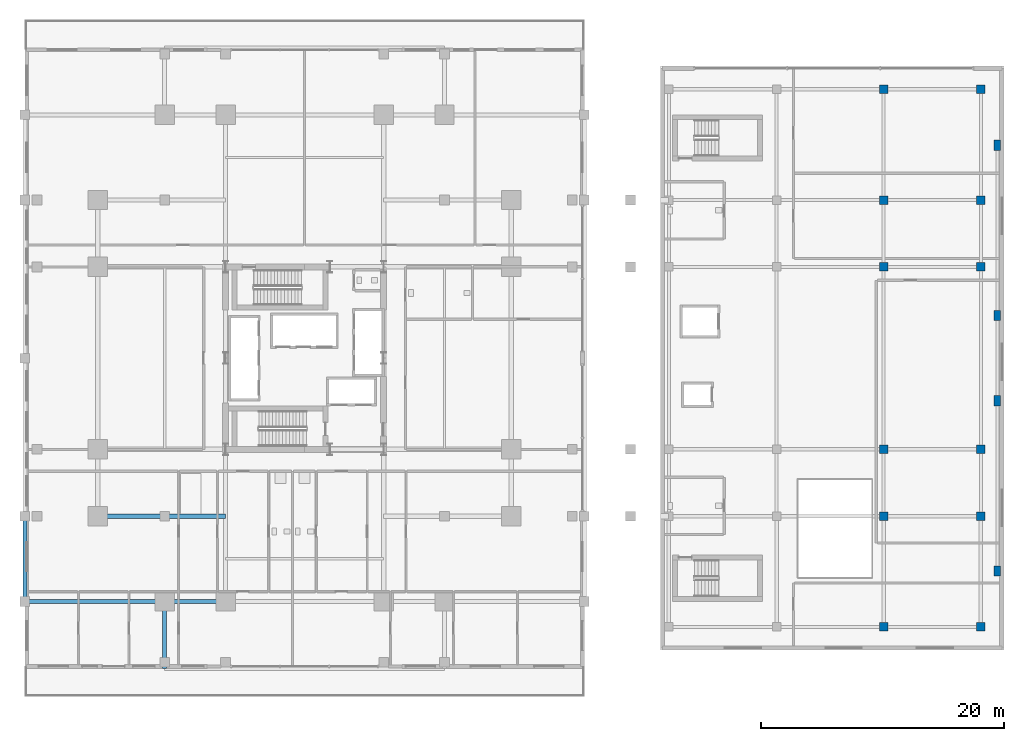
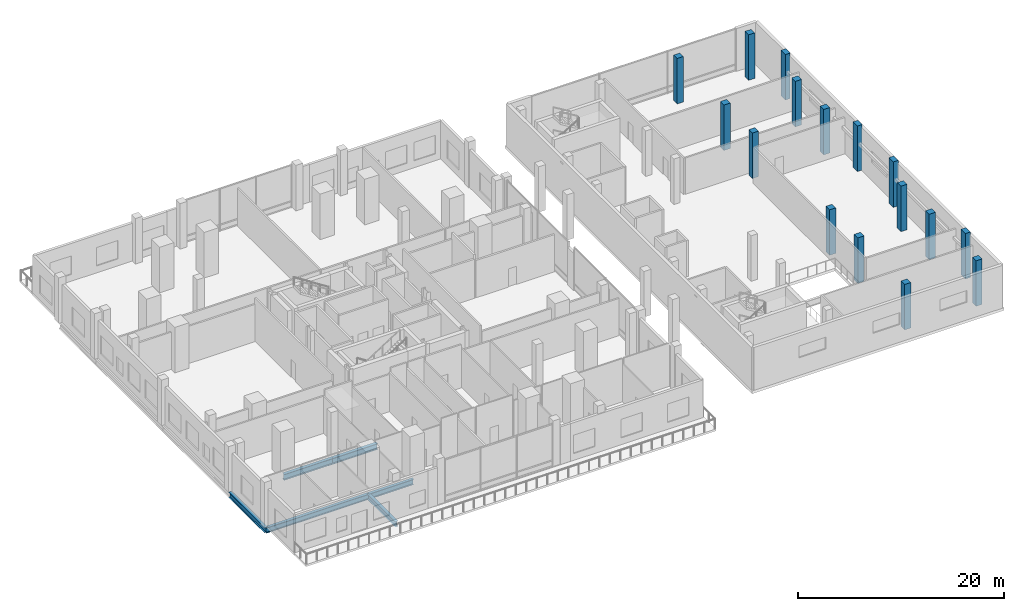
# One storey, part 2 of 32: 16 columns, 6 beams.
"""IFC4 building model written with IfcOpenShell, lengths in metres."""

import ifcopenshell
import ifcopenshell.guid

model = None  # the IFC model being written
_history = None  # IfcOwnerHistory: only IFC2X3 demands one
_inside = {}  # id of a spatial element -> (the spatial element, [elements in it])
_under = {}  # id of a project, library or spatial element -> (it, [spatial elements below it])
_declared = {}  # id of a project -> (the project, [libraries it declares])
_typed = {}  # id of a type object -> (the type object, [elements of that type])
_made_of = {}  # id of a material, layer set ... -> (it, [elements and type objects made of it])


def new_model(schema):
    """Start an empty IFC model of exactly this schema.

    Asked for "IFC4X3", IfcOpenShell would pick the latest addendum, in which some entities
    have other attributes; the version numbers below select the first issue.
    IFC2X3 requires an IfcOwnerHistory on every rooted entity: one is made here for all.
    """
    global model, _history
    if schema == "IFC4X3":
        model = ifcopenshell.file(schema_version=(4, 3, 0, 0))
    else:
        model = ifcopenshell.file(schema=schema)
    _inside.clear()
    _under.clear()
    _declared.clear()
    _typed.clear()
    _made_of.clear()
    _history = None
    if model.schema == "IFC2X3":
        org = make("IfcOrganization", Name="unknown")
        user = make(
            "IfcPersonAndOrganization",
            ThePerson=make("IfcPerson", FamilyName="unknown"),
            TheOrganization=org,
        )
        app = make(
            "IfcApplication",
            ApplicationDeveloper=org,
            Version="unknown",
            ApplicationFullName="unknown",
            ApplicationIdentifier="unknown",
        )
        _history = make(
            "IfcOwnerHistory",
            OwningUser=user,
            OwningApplication=app,
            ChangeAction="ADDED",
            CreationDate=0,
        )
    return model


def make(cls, **values):
    """One entity of the class cls with the attributes given. An attribute that is None is left unset."""
    return model.create_entity(
        cls, **{name: value for name, value in values.items() if value is not None}
    )


def rooted(cls, **values):
    """An entity with a GlobalId (a new one), such as an element, a storey or a relation."""
    return make(cls, GlobalId=ifcopenshell.guid.new(), OwnerHistory=_history, **values)


def si_unit(unit_type, name, prefix=None):
    """IfcSIUnit, for example si_unit("LENGTHUNIT", "METRE", prefix="MILLI")."""
    return make("IfcSIUnit", UnitType=unit_type, Prefix=prefix, Name=name)


def assignment(units):
    """IfcUnitAssignment: the units of a project."""
    return None if units is None else make("IfcUnitAssignment", Units=units)


def point(xyz):
    """IfcCartesianPoint."""
    return None if xyz is None else make("IfcCartesianPoint", Coordinates=xyz)


def direction(xyz):
    """IfcDirection."""
    return None if xyz is None else make("IfcDirection", DirectionRatios=xyz)


def frame(location, z_axis=None, x_axis=None):
    """IfcAxis2Placement3D, a coordinate frame: its origin and axes. An axis left out is left unset."""
    return make(
        "IfcAxis2Placement3D",
        Location=point(location),
        Axis=direction(z_axis),
        RefDirection=direction(x_axis),
    )


def frame_2d(location, x_axis=None):
    """IfcAxis2Placement2D, a coordinate frame in the plane: its origin and x axis."""
    return make(
        "IfcAxis2Placement2D", Location=point(location), RefDirection=direction(x_axis)
    )


def origin():
    """The frame at (0, 0, 0) with its axes left unset."""
    return frame((0.0, 0.0, 0.0))


def origin_2d():
    """The frame at (0, 0) in the plane with its x axis left unset."""
    return frame_2d((0.0, 0.0))


def place(relative_to, where):
    """IfcLocalPlacement: puts the frame where relative to a parent placement (None: the world)."""
    return make(
        "IfcLocalPlacement", PlacementRelTo=relative_to, RelativePlacement=where
    )


def context(
    kind, dimensions, precision=None, world=None, true_north=None, identifier=None
):
    """IfcGeometricRepresentationContext, for example the 3D "Model" context."""
    return make(
        "IfcGeometricRepresentationContext",
        ContextIdentifier=identifier,
        ContextType=kind,
        CoordinateSpaceDimension=dimensions,
        Precision=precision,
        WorldCoordinateSystem=world,
        TrueNorth=true_north,
    )


def subcontext(parent, identifier, kind, view, scale=None):
    """IfcGeometricRepresentationSubContext, for example "Body" below "Model"."""
    return make(
        "IfcGeometricRepresentationSubContext",
        ContextIdentifier=identifier,
        ContextType=kind,
        ParentContext=parent,
        TargetScale=scale,
        TargetView=view,
    )


def project(units=None, contexts=None):
    """IfcProject with its units and contexts."""
    return rooted(
        "IfcProject",
        Name="project",
        RepresentationContexts=contexts,
        UnitsInContext=assignment(units),
    )


def spatial(cls, under=None, at=None, **own):
    """A site, building, storey or space (cls), placed at a placement, below another one or the project."""
    s = rooted(cls, ObjectPlacement=at, **own)
    if under is not None:
        _under.setdefault(under.id(), (under, []))[1].append(s)
    return s


def profile(cls, at=None, kind="AREA", **sizes):
    """A parametric profile (cls). Its sizes go by their IFC names, for example OverallWidth=200.0."""
    return make(cls, ProfileType=kind, Position=at, **sizes)


def rectangle(**sizes):
    """IfcRectangleProfileDef."""
    return profile("IfcRectangleProfileDef", **sizes)


def i_section(**sizes):
    """IfcIShapeProfileDef."""
    return profile("IfcIShapeProfileDef", **sizes)


def extrude(swept, where, along, depth):
    """IfcExtrudedAreaSolid: the profile swept, set in the frame where, extruded along a direction by depth."""
    return make(
        "IfcExtrudedAreaSolid",
        SweptArea=swept,
        Position=where,
        ExtrudedDirection=direction(along),
        Depth=depth,
    )


def shape(context_of_items, identifier, shape_type, items):
    """IfcShapeRepresentation: the items that make up one representation, for example the "Body"."""
    return make(
        "IfcShapeRepresentation",
        ContextOfItems=context_of_items,
        RepresentationIdentifier=identifier,
        RepresentationType=shape_type,
        Items=items,
    )


def material(Name=None, Category=None):
    """IfcMaterial."""
    return make("IfcMaterial", Name=Name, Category=Category)


def material_profile(
    of_material, cross_section, Name=None, Category=None, Priority=None
):
    """IfcMaterialProfile: a cross section and its material."""
    return make(
        "IfcMaterialProfile",
        Name=Name,
        Material=of_material,
        Profile=cross_section,
        Priority=Priority,
        Category=Category,
    )


def profile_set(profiles, Name=None, composite=None):
    """IfcMaterialProfileSet."""
    return make(
        "IfcMaterialProfileSet",
        Name=Name,
        MaterialProfiles=profiles,
        CompositeProfile=composite,
    )


def made_of(thing, what):
    """Note that an element or type object is made of a material, layer set ...; save() writes the relation."""
    if what is not None:
        _made_of.setdefault(what.id(), (what, []))[1].append(thing)
    return thing


def type_object(cls, material=None, **own):
    """A type object (cls), such as IfcWallType, which elements share."""
    return made_of(rooted(cls, **own), material)


def element(
    cls,
    number,
    at=None,
    inside=None,
    cuts=None,
    type_object=None,
    material=None,
    context=None,
    identifier="Body",
    shape_type=None,
    held_by="IfcProductDefinitionShape",
    body=None,
    shapes=None,
    **own,
):
    """One element of the class cls, such as IfcWall. Its Tag is "e" and its number.

    at: its placement. inside: the storey or other place that contains it. cuts: it is an
    opening in that element (IfcRelVoidsElement). A single representation is given by context,
    identifier, shape_type and body (its items); several are given by shapes. held_by: the class
    of the entity that holds the representations. save() writes the other relations.
    """
    e = rooted(cls, Tag="e%d" % number, ObjectPlacement=at, **own)
    if body is not None:
        shapes = [shape(context, identifier, shape_type, body)]
    if shapes is not None:
        e.Representation = make(held_by, Representations=shapes)
    if inside is not None:
        _inside.setdefault(inside.id(), (inside, []))[1].append(e)
    if cuts is not None:
        rooted(
            "IfcRelVoidsElement", RelatingBuildingElement=cuts, RelatedOpeningElement=e
        )
    if type_object is not None:
        _typed.setdefault(type_object.id(), (type_object, []))[1].append(e)
    return made_of(e, material)


def aggregate(whole, parts):
    """IfcRelAggregates: a whole, such as a stair, and the parts it consists of."""
    return rooted("IfcRelAggregates", RelatingObject=whole, RelatedObjects=parts)


def save(model, path):
    """Write the relations noted so far, then the file.

    IfcRelAggregates (storeys below a building ...), IfcRelContainedInSpatialStructure (elements
    in a storey), IfcRelDefinesByType, IfcRelAssociatesMaterial and IfcRelDeclares: one each for
    every whole, place, type object, material and project.
    """
    for whole, parts in _under.values():
        aggregate(whole, parts)
    for where, things in _inside.values():
        rooted(
            "IfcRelContainedInSpatialStructure",
            RelatedElements=things,
            RelatingStructure=where,
        )
    for kind, things in _typed.values():
        rooted("IfcRelDefinesByType", RelatedObjects=things, RelatingType=kind)
    for what, things in _made_of.values():
        rooted("IfcRelAssociatesMaterial", RelatedObjects=things, RelatingMaterial=what)
    for by, libraries in _declared.values():
        rooted("IfcRelDeclares", RelatingContext=by, RelatedDefinitions=libraries)
    model.write(path)


model = new_model("IFC4")

# Units and contexts
model_context = context("Model", 3, precision=1e-05, world=origin(), true_north=direction((0.0, 1.0)))
body_context = subcontext(model_context, "Body", "Model", "MODEL_VIEW")
ifc_project = project(units=[si_unit("LENGTHUNIT", "METRE"), si_unit("AREAUNIT", "SQUARE_METRE"), si_unit("VOLUMEUNIT", "CUBIC_METRE"), si_unit("PLANEANGLEUNIT", "RADIAN"), si_unit("MASSUNIT", "GRAM", prefix="KILO")], contexts=[model_context])

# Site, building, storey
site_placement = place(None, origin())
site = spatial("IfcSite", under=ifc_project, at=site_placement, CompositionType="ELEMENT")
building_placement = place(site_placement, origin())
building = spatial("IfcBuilding", under=site, at=building_placement, Name="Barlavira Tower and Art Museum", CompositionType="ELEMENT")
storey_placement = place(building_placement, frame((0.0, 0.0, 6.0)))
storey = spatial("IfcBuildingStorey", under=building, at=storey_placement, Name="L01", CompositionType="ELEMENT", Elevation=6.0)

# Columns
ifc_material_1 = material(Name="Concrete C50", Category="concrete")
ifc_material_profile_1 = material_profile(ifc_material_1, rectangle(XDim=0.550048828125, YDim=0.85009765625, at=origin_2d()), Name="RC-PIL 550x850")
ifc_profile_set_1 = profile_set([ifc_material_profile_1], Name="Concrete C50")
column_type_1 = type_object("IfcColumnType", Name="Museum Coastal Facade Pilaster 550x850 Concrete C50", PredefinedType="PILASTER", material=ifc_profile_set_1)
for number, where, z_axis, x_axis, name in (
    (1, (56.949951171875, -17.5, 0.0), (0.0, 0.0, 1.0), (1.0, 0.0, 0.0), "L01 Museum Facade Pilaster 1"),
    (2, (56.949951171875, -3.5, 0.0), (0.0, 0.0, 1.0), (1.0, 0.0, 0.0), "L01 Museum Facade Pilaster 2"),
    (3, (56.949951171875, 3.5, 0.0), (0.0, 0.0, 1.0), (1.0, 0.0, 0.0), "L01 Museum Facade Pilaster 3"),
    (4, (56.949951171875, 17.5, 0.0), (0.0, 0.0, 1.0), (1.0, 0.0, 0.0), "L01 Museum Facade Pilaster 4"),
):
    element("IfcColumn", number, at=place(storey_placement, frame(where, z_axis=z_axis, x_axis=x_axis)), inside=storey, type_object=column_type_1, Name=name, PredefinedType="PILASTER", context=body_context, shape_type="SweptSolid", body=[
        extrude(rectangle(XDim=0.550048828125, YDim=0.85009765625, at=origin_2d()), origin(), (0.0, 0.0, 1.0), 5.39990234375),
    ])
ifc_material_profile_2 = material_profile(ifc_material_1, rectangle(XDim=0.699951171875, YDim=0.699951171875, at=origin_2d()), Name="RC-COL 700x700")
ifc_profile_set_2 = profile_set([ifc_material_profile_2], Name="Concrete C50")
column_type_2 = type_object("IfcColumnType", Name="Museum Frame Column 700x700 Concrete C50", PredefinedType="COLUMN", material=ifc_profile_set_2)
for number, where, z_axis, x_axis, name in (
    (5, (47.60009765625, -22.10009765625, 0.0), (0.0, 0.0, 1.0), (1.0, 0.0, 0.0), "L01 Museum Column 3-1"),
    (6, (47.60009765625, -13.0, 0.0), (0.0, 0.0, 1.0), (1.0, 0.0, 0.0), "L01 Museum Column 3-2"),
    (7, (47.60009765625, -7.5, 0.0), (0.0, 0.0, 1.0), (1.0, 0.0, 0.0), "L01 Museum Column 3-3"),
    (8, (47.60009765625, 7.5, 0.0), (0.0, 0.0, 1.0), (1.0, 0.0, 0.0), "L01 Museum Column 3-4"),
    (9, (47.60009765625, 13.0, 0.0), (0.0, 0.0, 1.0), (1.0, 0.0, 0.0), "L01 Museum Column 3-5"),
    (10, (47.60009765625, 22.10009765625, 0.0), (0.0, 0.0, 1.0), (1.0, 0.0, 0.0), "L01 Museum Column 3-6"),
    (11, (55.60009765625, -22.10009765625, 0.0), (0.0, 0.0, 1.0), (1.0, 0.0, 0.0), "L01 Museum Column 4-1"),
    (12, (55.60009765625, -13.0, 0.0), (0.0, 0.0, 1.0), (1.0, 0.0, 0.0), "L01 Museum Column 4-2"),
    (13, (55.60009765625, -7.5, 0.0), (0.0, 0.0, 1.0), (1.0, 0.0, 0.0), "L01 Museum Column 4-3"),
    (14, (55.60009765625, 7.5, 0.0), (0.0, 0.0, 1.0), (1.0, 0.0, 0.0), "L01 Museum Column 4-4"),
    (15, (55.60009765625, 13.0, 0.0), (0.0, 0.0, 1.0), (1.0, 0.0, 0.0), "L01 Museum Column 4-5"),
    (16, (55.60009765625, 22.10009765625, 0.0), (0.0, 0.0, 1.0), (1.0, 0.0, 0.0), "L01 Museum Column 4-6"),
):
    element("IfcColumn", number, at=place(storey_placement, frame(where, z_axis=z_axis, x_axis=x_axis)), inside=storey, type_object=column_type_2, Name=name, PredefinedType="COLUMN", context=body_context, shape_type="SweptSolid", body=[
        extrude(rectangle(XDim=0.699951171875, YDim=0.699951171875, at=origin_2d()), origin(), (0.0, 0.0, 1.0), 5.39990234375),
    ])

# Beams
ifc_material_2 = material(Name="Steel S355", Category="steel")
ifc_material_profile_3 = material_profile(ifc_material_2, i_section(OverallWidth=0.327880859375, OverallDepth=0.62890625, WebThickness=0.013916015625, FlangeThickness=0.021484375, at=origin_2d()), Name="W610x174.0")
ifc_profile_set_3 = profile_set([ifc_material_profile_3], Name="Steel S355")
beam_type_1 = type_object("IfcBeamType", Name="Perimeter Spandrel Edge Beam W610x174 Steel S355", PredefinedType="SPANDREL", material=ifc_profile_set_3)
beam_1_placement = place(storey_placement, frame((-23.0, -20.0, -0.594482421875), z_axis=(1.0, 0.0, 0.0), x_axis=(0.0, 1.0, 0.0)))
element("IfcBeam", 17, at=beam_1_placement, inside=storey, type_object=beam_type_1, Name="L01 Podium Spandrel PS1", PredefinedType="SPANDREL", context=body_context, shape_type="SweptSolid", body=[
    extrude(i_section(OverallWidth=0.327880859375, OverallDepth=0.62890625, WebThickness=0.013916015625, FlangeThickness=0.021484375, at=origin_2d()), origin(), (0.0, 0.0, 1.0), 11.5),
])
beam_2_placement = place(storey_placement, frame((-11.5, -20.0, -0.594482421875), z_axis=(1.0, 0.0, 0.0), x_axis=(0.0, 1.0, 0.0)))
element("IfcBeam", 18, at=beam_2_placement, inside=storey, type_object=beam_type_1, Name="L01 Podium Spandrel PS2", PredefinedType="SPANDREL", context=body_context, shape_type="SweptSolid", body=[
    extrude(i_section(OverallWidth=0.327880859375, OverallDepth=0.62890625, WebThickness=0.013916015625, FlangeThickness=0.021484375, at=origin_2d()), origin(), (0.0, 0.0, 1.0), 5.0),
])
beam_3_placement = place(storey_placement, frame((-23.0, -20.0, -0.594482421875), z_axis=(0.0, 1.0, 0.0), x_axis=(-1.0, 0.0, 0.0)))
element("IfcBeam", 19, at=beam_3_placement, inside=storey, type_object=beam_type_1, Name="L01 Podium Spandrel PW1", PredefinedType="SPANDREL", context=body_context, shape_type="SweptSolid", body=[
    extrude(i_section(OverallWidth=0.327880859375, OverallDepth=0.62890625, WebThickness=0.013916015625, FlangeThickness=0.021484375, at=origin_2d()), origin(), (0.0, 0.0, 1.0), 7.0),
])
beam_4_placement = place(storey_placement, frame((-11.5, -25.5, -0.594482421875), z_axis=(0.0, 1.0, 0.0), x_axis=(-1.0, 0.0, 0.0)))
element("IfcBeam", 20, at=beam_4_placement, inside=storey, type_object=beam_type_1, Name="L01 SW Cascade Spandrel", PredefinedType="SPANDREL", context=body_context, shape_type="SweptSolid", body=[
    extrude(i_section(OverallWidth=0.327880859375, OverallDepth=0.62890625, WebThickness=0.013916015625, FlangeThickness=0.021484375, at=origin_2d()), origin(), (0.0, 0.0, 1.0), 5.5),
])
ifc_material_profile_4 = material_profile(ifc_material_2, i_section(OverallWidth=0.35595703125, OverallDepth=0.695068359375, WebThickness=0.014892578125, FlangeThickness=0.023681640625, at=origin_2d()), Name="W690x192.0")
ifc_profile_set_4 = profile_set([ifc_material_profile_4], Name="Steel S355")
beam_type_2 = type_object("IfcBeamType", Name="Podium Primary Girder W690x192 Steel S355", PredefinedType="BEAM", material=ifc_profile_set_4)
beam_5_placement = place(storey_placement, frame((-17.0, -13.0, -0.62744140625), z_axis=(1.0, 0.0, 0.0), x_axis=(0.0, 1.0, 0.0)))
element("IfcBeam", 21, at=beam_5_placement, inside=storey, type_object=beam_type_2, Name="L01 Girder I-S1", PredefinedType="BEAM", context=body_context, shape_type="SweptSolid", body=[
    extrude(i_section(OverallWidth=0.35595703125, OverallDepth=0.695068359375, WebThickness=0.014892578125, FlangeThickness=0.023681640625, at=origin_2d()), origin(), (0.0, 0.0, 1.0), 5.5),
])
beam_6_placement = place(storey_placement, frame((-11.5, -13.0, -0.62744140625), z_axis=(1.0, 0.0, 0.0), x_axis=(0.0, 1.0, 0.0)))
element("IfcBeam", 22, at=beam_6_placement, inside=storey, type_object=beam_type_2, Name="L01 Girder I-S2", PredefinedType="BEAM", context=body_context, shape_type="SweptSolid", body=[
    extrude(i_section(OverallWidth=0.35595703125, OverallDepth=0.695068359375, WebThickness=0.014892578125, FlangeThickness=0.023681640625, at=origin_2d()), origin(), (0.0, 0.0, 1.0), 5.0),
])

save(model, "model.ifc")
